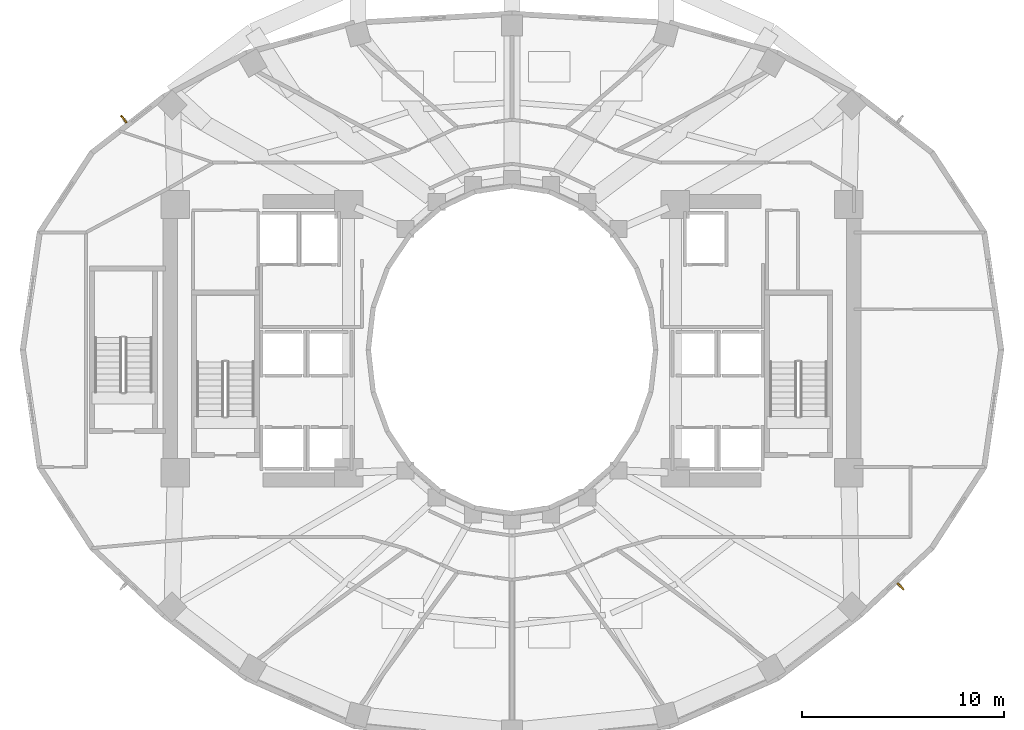
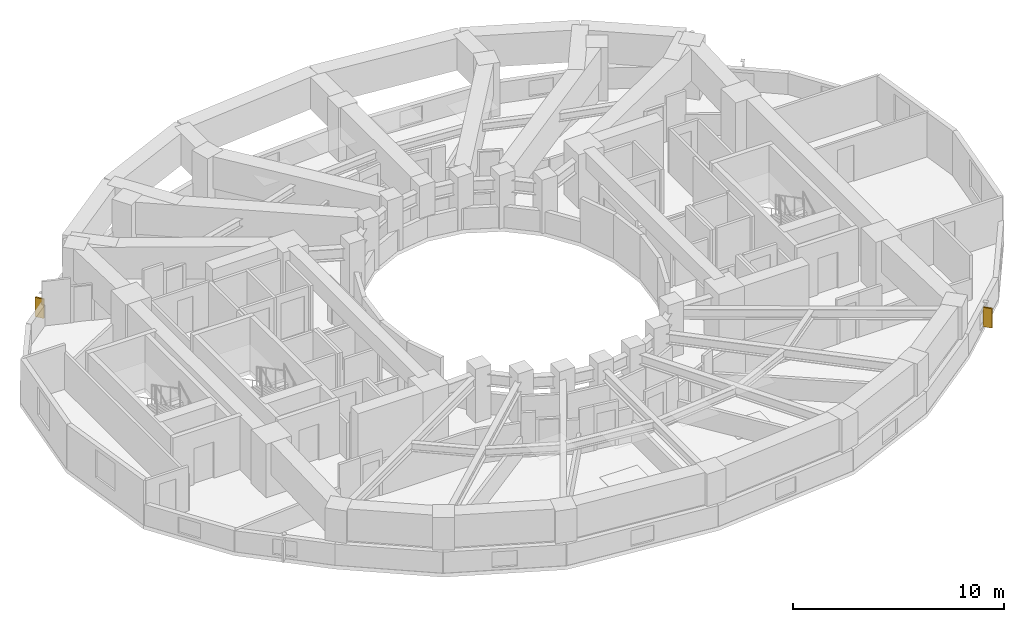
# One storey, part 9 of 10: 2 shading devices.
"""IFC4 building model written with IfcOpenShell, lengths in metres."""

from ifc_helpers import new_model, si_unit, direction, frame, origin, origin_2d, place, context, subcontext, project, spatial, rectangle, extrude, material, layer, layer_set, type_object, element, save


model = new_model("IFC4")

# Units and contexts
model_context = context("Model", 3, precision=1e-05, world=origin(), true_north=direction((0.0, 1.0)))
body_context = subcontext(model_context, "Body", "Model", "MODEL_VIEW")
ifc_project = project(units=[si_unit("LENGTHUNIT", "METRE"), si_unit("AREAUNIT", "SQUARE_METRE"), si_unit("VOLUMEUNIT", "CUBIC_METRE"), si_unit("PLANEANGLEUNIT", "RADIAN"), si_unit("MASSUNIT", "GRAM", prefix="KILO")], contexts=[model_context])

# Site, building, storey
site_placement = place(None, origin())
site = spatial("IfcSite", under=ifc_project, at=site_placement, CompositionType="ELEMENT")
building_placement = place(site_placement, origin())
building = spatial("IfcBuilding", under=site, at=building_placement, Name="Solvane Sanctuary Tower", CompositionType="ELEMENT")
storey_placement = place(building_placement, frame((0.0, 0.0, 101.10009765625)))
storey = spatial("IfcBuildingStorey", under=building, at=storey_placement, Name="L30", CompositionType="ELEMENT", Elevation=101.10009765625)

# Shading devices
ifc_material = material(Name="Anodised Aluminium 6063-T6", Category="aluminium")
ifc_layer = layer(ifc_material, 0.080078125, Name="Anodised Aluminium 6063-T6")
ifc_layer_set = layer_set([ifc_layer], Name="Anodised Aluminium 6063-T6")
shading_device_type = type_object("IfcShadingDeviceType", Name="Shading SHD-FIN", PredefinedType="USERDEFINED", material=ifc_layer_set)
for number, where, z_axis, x_axis, name in (
    (1, (12.748046875, 34.43798828125, 0.0498046875), (0.0, 0.0, 1.0), (-0.789141976346, -0.614210827948, 0.0), "L30 Aerodynamic Vertical Fin 09"),
    (2, (51.275390625, 11.26171875, 0.0498046875), (0.0, 0.0, 1.0), (0.730175394401, 0.683259755445, 0.0), "L30 Aerodynamic Vertical Fin 21"),
):
    element("IfcShadingDevice", number, at=place(storey_placement, frame(where, z_axis=z_axis, x_axis=x_axis)), inside=storey, type_object=shading_device_type, Name=name, ObjectType="FIN", PredefinedType="USERDEFINED", context=body_context, shape_type="SweptSolid", body=[
        extrude(rectangle(XDim=0.080078125, YDim=0.449951171875, at=origin_2d()), origin(), (0.0, 0.0, 1.0), 1.1201171875),
    ])

save(model, "model.ifc")
